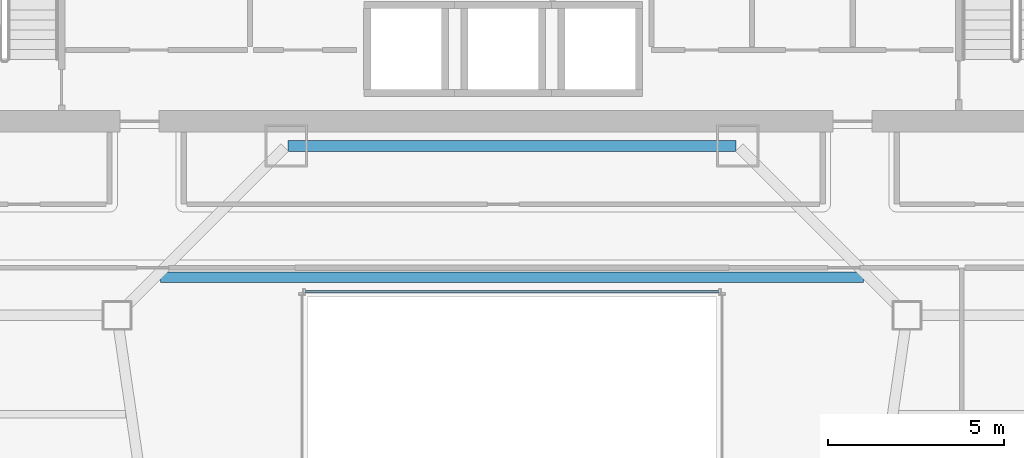
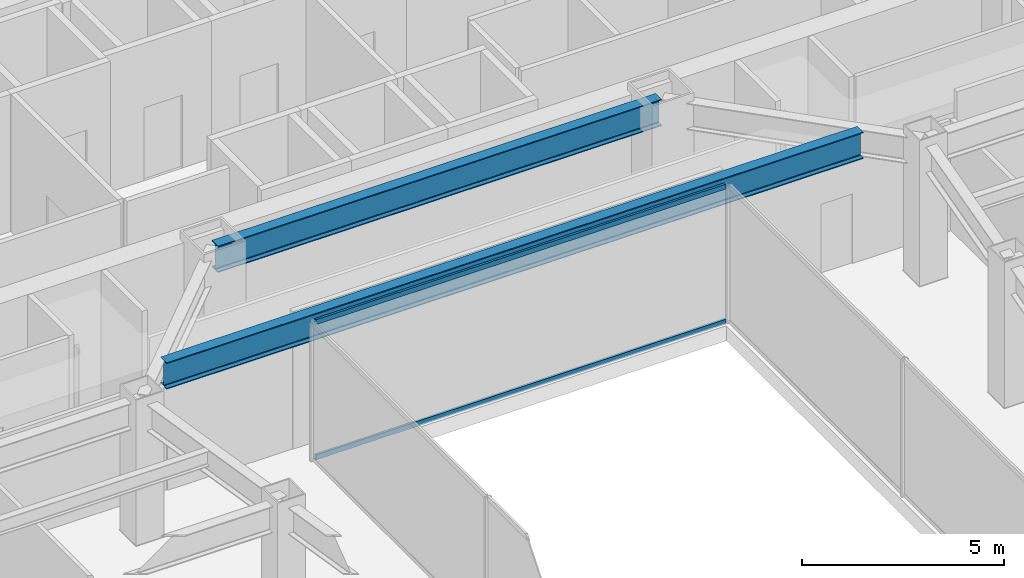
# One storey, part 25 of 49: 2 beams, 2 members, 1 element without a shape of its own.
"""IFC4 building model written with IfcOpenShell, lengths in metres."""

import ifcopenshell
import ifcopenshell.guid

model = None  # the IFC model being written
_history = None  # IfcOwnerHistory: only IFC2X3 demands one
_inside = {}  # id of a spatial element -> (the spatial element, [elements in it])
_under = {}  # id of a project, library or spatial element -> (it, [spatial elements below it])
_declared = {}  # id of a project -> (the project, [libraries it declares])
_typed = {}  # id of a type object -> (the type object, [elements of that type])
_made_of = {}  # id of a material, layer set ... -> (it, [elements and type objects made of it])


def new_model(schema):
    """Start an empty IFC model of exactly this schema.

    Asked for "IFC4X3", IfcOpenShell would pick the latest addendum, in which some entities
    have other attributes; the version numbers below select the first issue.
    IFC2X3 requires an IfcOwnerHistory on every rooted entity: one is made here for all.
    """
    global model, _history
    if schema == "IFC4X3":
        model = ifcopenshell.file(schema_version=(4, 3, 0, 0))
    else:
        model = ifcopenshell.file(schema=schema)
    _inside.clear()
    _under.clear()
    _declared.clear()
    _typed.clear()
    _made_of.clear()
    _history = None
    if model.schema == "IFC2X3":
        org = make("IfcOrganization", Name="unknown")
        user = make(
            "IfcPersonAndOrganization",
            ThePerson=make("IfcPerson", FamilyName="unknown"),
            TheOrganization=org,
        )
        app = make(
            "IfcApplication",
            ApplicationDeveloper=org,
            Version="unknown",
            ApplicationFullName="unknown",
            ApplicationIdentifier="unknown",
        )
        _history = make(
            "IfcOwnerHistory",
            OwningUser=user,
            OwningApplication=app,
            ChangeAction="ADDED",
            CreationDate=0,
        )
    return model


def make(cls, **values):
    """One entity of the class cls with the attributes given. An attribute that is None is left unset."""
    return model.create_entity(
        cls, **{name: value for name, value in values.items() if value is not None}
    )


def rooted(cls, **values):
    """An entity with a GlobalId (a new one), such as an element, a storey or a relation."""
    return make(cls, GlobalId=ifcopenshell.guid.new(), OwnerHistory=_history, **values)


def si_unit(unit_type, name, prefix=None):
    """IfcSIUnit, for example si_unit("LENGTHUNIT", "METRE", prefix="MILLI")."""
    return make("IfcSIUnit", UnitType=unit_type, Prefix=prefix, Name=name)


def assignment(units):
    """IfcUnitAssignment: the units of a project."""
    return None if units is None else make("IfcUnitAssignment", Units=units)


def point(xyz):
    """IfcCartesianPoint."""
    return None if xyz is None else make("IfcCartesianPoint", Coordinates=xyz)


def direction(xyz):
    """IfcDirection."""
    return None if xyz is None else make("IfcDirection", DirectionRatios=xyz)


def frame(location, z_axis=None, x_axis=None):
    """IfcAxis2Placement3D, a coordinate frame: its origin and axes. An axis left out is left unset."""
    return make(
        "IfcAxis2Placement3D",
        Location=point(location),
        Axis=direction(z_axis),
        RefDirection=direction(x_axis),
    )


def frame_2d(location, x_axis=None):
    """IfcAxis2Placement2D, a coordinate frame in the plane: its origin and x axis."""
    return make(
        "IfcAxis2Placement2D", Location=point(location), RefDirection=direction(x_axis)
    )


def origin():
    """The frame at (0, 0, 0) with its axes left unset."""
    return frame((0.0, 0.0, 0.0))


def origin_2d():
    """The frame at (0, 0) in the plane with its x axis left unset."""
    return frame_2d((0.0, 0.0))


def place(relative_to, where):
    """IfcLocalPlacement: puts the frame where relative to a parent placement (None: the world)."""
    return make(
        "IfcLocalPlacement", PlacementRelTo=relative_to, RelativePlacement=where
    )


def context(
    kind, dimensions, precision=None, world=None, true_north=None, identifier=None
):
    """IfcGeometricRepresentationContext, for example the 3D "Model" context."""
    return make(
        "IfcGeometricRepresentationContext",
        ContextIdentifier=identifier,
        ContextType=kind,
        CoordinateSpaceDimension=dimensions,
        Precision=precision,
        WorldCoordinateSystem=world,
        TrueNorth=true_north,
    )


def subcontext(parent, identifier, kind, view, scale=None):
    """IfcGeometricRepresentationSubContext, for example "Body" below "Model"."""
    return make(
        "IfcGeometricRepresentationSubContext",
        ContextIdentifier=identifier,
        ContextType=kind,
        ParentContext=parent,
        TargetScale=scale,
        TargetView=view,
    )


def project(units=None, contexts=None):
    """IfcProject with its units and contexts."""
    return rooted(
        "IfcProject",
        Name="project",
        RepresentationContexts=contexts,
        UnitsInContext=assignment(units),
    )


def spatial(cls, under=None, at=None, **own):
    """A site, building, storey or space (cls), placed at a placement, below another one or the project."""
    s = rooted(cls, ObjectPlacement=at, **own)
    if under is not None:
        _under.setdefault(under.id(), (under, []))[1].append(s)
    return s


def profile(cls, at=None, kind="AREA", **sizes):
    """A parametric profile (cls). Its sizes go by their IFC names, for example OverallWidth=200.0."""
    return make(cls, ProfileType=kind, Position=at, **sizes)


def hollow_rectangle(**sizes):
    """IfcRectangleHollowProfileDef."""
    return profile("IfcRectangleHollowProfileDef", **sizes)


def i_section(**sizes):
    """IfcIShapeProfileDef."""
    return profile("IfcIShapeProfileDef", **sizes)


def extrude(swept, where, along, depth):
    """IfcExtrudedAreaSolid: the profile swept, set in the frame where, extruded along a direction by depth."""
    return make(
        "IfcExtrudedAreaSolid",
        SweptArea=swept,
        Position=where,
        ExtrudedDirection=direction(along),
        Depth=depth,
    )


def shape(context_of_items, identifier, shape_type, items):
    """IfcShapeRepresentation: the items that make up one representation, for example the "Body"."""
    return make(
        "IfcShapeRepresentation",
        ContextOfItems=context_of_items,
        RepresentationIdentifier=identifier,
        RepresentationType=shape_type,
        Items=items,
    )


def material(Name=None, Category=None):
    """IfcMaterial."""
    return make("IfcMaterial", Name=Name, Category=Category)


def material_profile(
    of_material, cross_section, Name=None, Category=None, Priority=None
):
    """IfcMaterialProfile: a cross section and its material."""
    return make(
        "IfcMaterialProfile",
        Name=Name,
        Material=of_material,
        Profile=cross_section,
        Priority=Priority,
        Category=Category,
    )


def profile_set(profiles, Name=None, composite=None):
    """IfcMaterialProfileSet."""
    return make(
        "IfcMaterialProfileSet",
        Name=Name,
        MaterialProfiles=profiles,
        CompositeProfile=composite,
    )


def made_of(thing, what):
    """Note that an element or type object is made of a material, layer set ...; save() writes the relation."""
    if what is not None:
        _made_of.setdefault(what.id(), (what, []))[1].append(thing)
    return thing


def type_object(cls, material=None, **own):
    """A type object (cls), such as IfcWallType, which elements share."""
    return made_of(rooted(cls, **own), material)


def element(
    cls,
    number,
    at=None,
    inside=None,
    cuts=None,
    type_object=None,
    material=None,
    context=None,
    identifier="Body",
    shape_type=None,
    held_by="IfcProductDefinitionShape",
    body=None,
    shapes=None,
    **own,
):
    """One element of the class cls, such as IfcWall. Its Tag is "e" and its number.

    at: its placement. inside: the storey or other place that contains it. cuts: it is an
    opening in that element (IfcRelVoidsElement). A single representation is given by context,
    identifier, shape_type and body (its items); several are given by shapes. held_by: the class
    of the entity that holds the representations. save() writes the other relations.
    """
    e = rooted(cls, Tag="e%d" % number, ObjectPlacement=at, **own)
    if body is not None:
        shapes = [shape(context, identifier, shape_type, body)]
    if shapes is not None:
        e.Representation = make(held_by, Representations=shapes)
    if inside is not None:
        _inside.setdefault(inside.id(), (inside, []))[1].append(e)
    if cuts is not None:
        rooted(
            "IfcRelVoidsElement", RelatingBuildingElement=cuts, RelatedOpeningElement=e
        )
    if type_object is not None:
        _typed.setdefault(type_object.id(), (type_object, []))[1].append(e)
    return made_of(e, material)


def aggregate(whole, parts):
    """IfcRelAggregates: a whole, such as a stair, and the parts it consists of."""
    return rooted("IfcRelAggregates", RelatingObject=whole, RelatedObjects=parts)


def save(model, path):
    """Write the relations noted so far, then the file.

    IfcRelAggregates (storeys below a building ...), IfcRelContainedInSpatialStructure (elements
    in a storey), IfcRelDefinesByType, IfcRelAssociatesMaterial and IfcRelDeclares: one each for
    every whole, place, type object, material and project.
    """
    for whole, parts in _under.values():
        aggregate(whole, parts)
    for where, things in _inside.values():
        rooted(
            "IfcRelContainedInSpatialStructure",
            RelatedElements=things,
            RelatingStructure=where,
        )
    for kind, things in _typed.values():
        rooted("IfcRelDefinesByType", RelatedObjects=things, RelatingType=kind)
    for what, things in _made_of.values():
        rooted("IfcRelAssociatesMaterial", RelatedObjects=things, RelatingMaterial=what)
    for by, libraries in _declared.values():
        rooted("IfcRelDeclares", RelatingContext=by, RelatedDefinitions=libraries)
    model.write(path)


model = new_model("IFC4")

# Units and contexts
model_context = context("Model", 3, precision=1e-05, world=origin(), true_north=direction((0.0, 1.0)))
body_context = subcontext(model_context, "Body", "Model", "MODEL_VIEW")
ifc_project = project(units=[si_unit("LENGTHUNIT", "METRE"), si_unit("AREAUNIT", "SQUARE_METRE"), si_unit("VOLUMEUNIT", "CUBIC_METRE"), si_unit("PLANEANGLEUNIT", "RADIAN"), si_unit("MASSUNIT", "GRAM", prefix="KILO")], contexts=[model_context])

# Site, building, storey
site_placement = place(None, origin())
site = spatial("IfcSite", under=ifc_project, at=site_placement, CompositionType="ELEMENT")
building_placement = place(site_placement, origin())
building = spatial("IfcBuilding", under=site, at=building_placement, Name="Saevonmaru Cultural Tower", CompositionType="ELEMENT")
storey_placement = place(building_placement, frame((0.0, 0.0, 38.39990234375)))
storey = spatial("IfcBuildingStorey", under=building, at=storey_placement, Name="L07", CompositionType="ELEMENT", Elevation=38.39990234375)

# Beams
ifc_material_1 = material(Name="Steel SM420", Category="steel")
ifc_material_profile_1 = material_profile(ifc_material_1, i_section(OverallWidth=0.300048828125, OverallDepth=0.800048828125, WebThickness=0.013916015625, FlangeThickness=0.02587890625, FilletRadius=0.028076171875, at=origin_2d()), Name="H-800x300x14x26")
ifc_profile_set_1 = profile_set([ifc_material_profile_1], Name="Steel SM420")
beam_type = type_object("IfcBeamType", Name="BM-G-H800", PredefinedType="BEAM", material=ifc_profile_set_1)
beam_1_placement = place(storey_placement, frame((23.659912109375, 42.39990234375, 3.75), z_axis=(1.0, 0.0, 0.0), x_axis=(0.0, 1.0, 0.0)))
element("IfcBeam", 1, at=beam_1_placement, inside=storey, type_object=beam_type, Name="L07 Core South Girder 3", PredefinedType="BEAM", context=body_context, shape_type="SweptSolid", body=[
    extrude(i_section(OverallWidth=0.300048828125, OverallDepth=0.800048828125, WebThickness=0.013916015625, FlangeThickness=0.02587890625, FilletRadius=0.028076171875, at=origin_2d()), origin(), (0.0, 0.0, 1.0), 12.68017578125),
])
beam_2_placement = place(storey_placement, frame((20.044189453125, 38.679931640625, 3.75), z_axis=(1.0, 0.0, 0.0), x_axis=(0.0, 1.0, 0.0)))
element("IfcBeam", 2, at=beam_2_placement, inside=storey, type_object=beam_type, Name="L07 Central Link Girder", PredefinedType="BEAM", context=body_context, shape_type="SweptSolid", body=[
    extrude(i_section(OverallWidth=0.300048828125, OverallDepth=0.800048828125, WebThickness=0.013916015625, FlangeThickness=0.02587890625, FilletRadius=0.028076171875, at=origin_2d()), origin(), (0.0, 0.0, 1.0), 19.91162109375),
])

# Curtain wall, members
ifc_material_2 = material(Name="Satin Bronze Anodised Aluminium", Category="aluminium")
curtain_wall_type = type_object("IfcCurtainWallType", Name="CW-ATR-GLZ", PredefinedType="NOTDEFINED", material=ifc_material_2)
curtain_wall_placement = place(storey_placement, origin())
curtain_wall = element("IfcCurtainWall", 3, at=curtain_wall_placement, inside=storey, type_object=curtain_wall_type, Name="L07 Vertical Atrium Glazed Smoke Screen 3", PredefinedType="NOTDEFINED")
ifc_material_profile_2 = material_profile(ifc_material_2, hollow_rectangle(XDim=0.06494140625, YDim=0.14990234375, WallThickness=0.00390625, at=origin_2d()), Name="ALU-TRAN-150x65x4")
ifc_profile_set_2 = profile_set([ifc_material_profile_2], Name="Satin Bronze Anodised Aluminium")
member_type = type_object("IfcMemberType", Name="TR-CW-INT-150x65", PredefinedType="USERDEFINED", material=ifc_profile_set_2)
member_1_placement = place(storey_placement, frame((35.857421875, 38.27001953125, 0.03271484375), z_axis=(-1.0, 0.0, 0.0), x_axis=(0.0, -1.0, 0.0)))
member_1 = element("IfcMember", 4, at=member_1_placement, type_object=member_type, Name="CW-ATR-L07-3 transom 1.1", ObjectType="TRANSOM", PredefinedType="USERDEFINED", context=body_context, shape_type="SweptSolid", body=[
    extrude(hollow_rectangle(XDim=0.06494140625, YDim=0.14990234375, WallThickness=0.00390625, at=origin_2d()), origin(), (0.0, 0.0, 1.0), 11.71484375),
])
member_2_placement = place(storey_placement, frame((35.857421875, 38.27001953125, 4.11767578125), z_axis=(-1.0, 0.0, 0.0), x_axis=(0.0, -1.0, 0.0)))
member_2 = element("IfcMember", 5, at=member_2_placement, type_object=member_type, Name="CW-ATR-L07-3 transom 1.2", ObjectType="TRANSOM", PredefinedType="USERDEFINED", context=body_context, shape_type="SweptSolid", body=[
    extrude(hollow_rectangle(XDim=0.06494140625, YDim=0.14990234375, WallThickness=0.00390625, at=origin_2d()), origin(), (0.0, 0.0, 1.0), 11.71484375),
])
aggregate(curtain_wall, [member_1, member_2])

save(model, "model.ifc")
